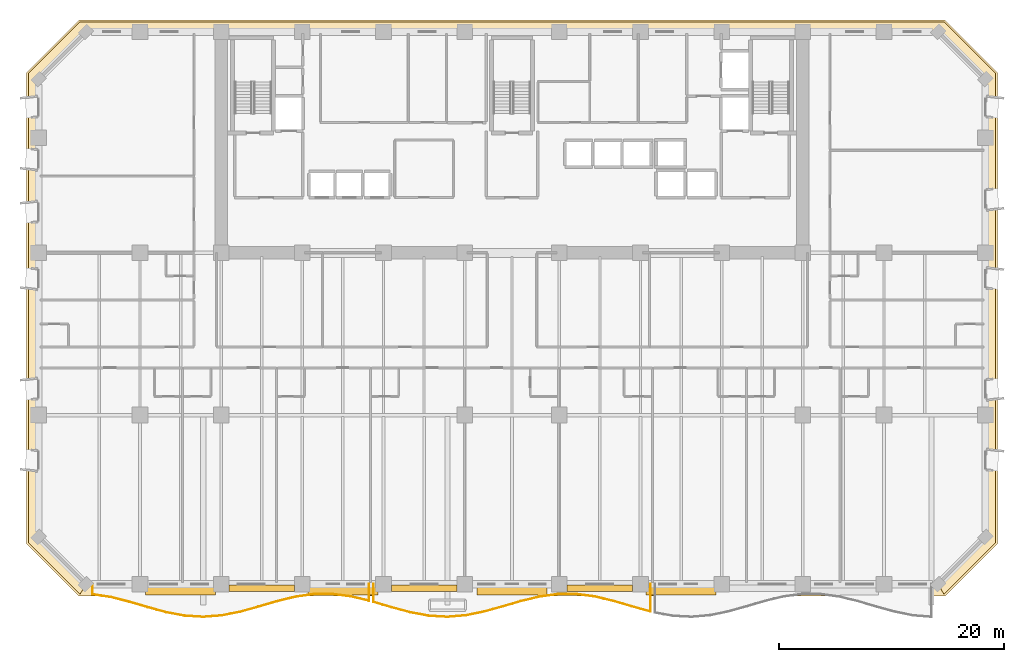
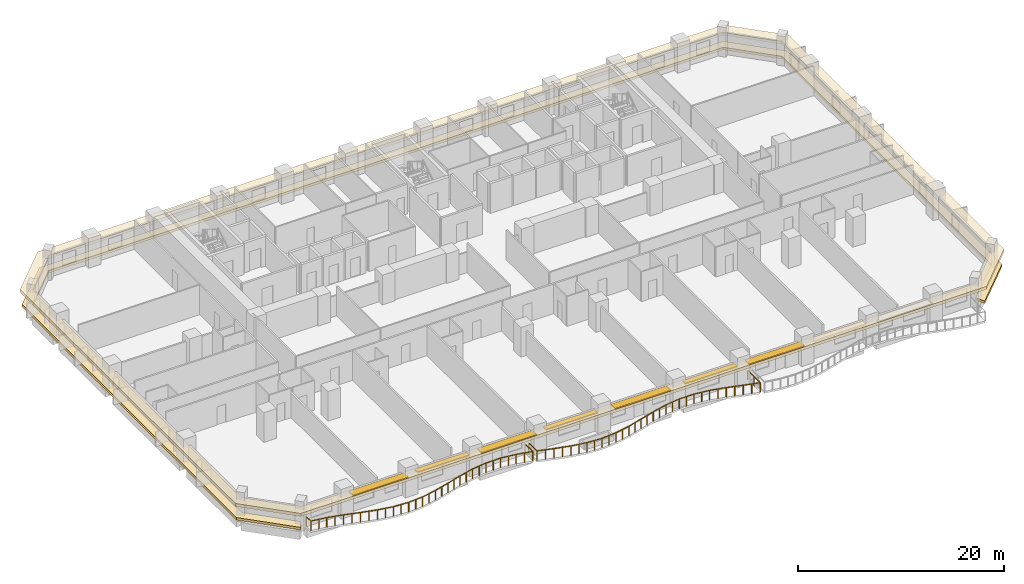
# One storey, part 12 of 15: 7 shading devices, 2 coverings, 2 railings.
"""IFC4 building model written with IfcOpenShell, lengths in metres."""

from ifc_helpers import new_model, si_unit, direction, frame, origin, origin_2d, place, context, subcontext, project, spatial, polyline, rectangle, outline, extrude, material, layer, layer_set, type_object, element, save


model = new_model("IFC4")

# Units and contexts
model_context = context("Model", 3, precision=1e-05, world=origin(), true_north=direction((0.0, 1.0)))
body_context = subcontext(model_context, "Body", "Model", "MODEL_VIEW")
ifc_project = project(units=[si_unit("LENGTHUNIT", "METRE"), si_unit("AREAUNIT", "SQUARE_METRE"), si_unit("VOLUMEUNIT", "CUBIC_METRE"), si_unit("PLANEANGLEUNIT", "RADIAN"), si_unit("MASSUNIT", "GRAM", prefix="KILO")], contexts=[model_context])

# Site, building, storey
site_placement = place(None, origin())
site = spatial("IfcSite", under=ifc_project, at=site_placement, CompositionType="ELEMENT")
building_placement = place(site_placement, origin())
building = spatial("IfcBuilding", under=site, at=building_placement, Name="Kaelvorn Grand Hotel", CompositionType="ELEMENT")
storey_placement = place(building_placement, frame((0.0, 0.0, 72.64990234375)))
storey = spatial("IfcBuildingStorey", under=building, at=storey_placement, Name="L16", CompositionType="ELEMENT", Elevation=72.64990234375)

# Coverings
ifc_material_1 = material(Name="Precast concrete C45/55", Category="concrete")
ifc_layer_1 = layer(ifc_material_1, 0.260009765625)
ifc_layer_set_1 = layer_set([ifc_layer_1], Name="Precast concrete C45/55")
covering_type_1 = type_object("IfcCoveringType", Name="COV-BAND-STREAMLINE-HEAD", PredefinedType="CLADDING", material=ifc_layer_set_1)
covering_1_placement = place(storey_placement, frame((0.0, 0.0, 2.18017578125)))
element("IfcCovering", 1, at=covering_1_placement, inside=storey, type_object=covering_type_1, Name="L16 Streamline Moderne Wraparound Horizontal Eyebrow Band", PredefinedType="CLADDING", context=body_context, shape_type="SweptSolid", body=[
    extrude(outline(polyline([(3.590087890625, -1.050048828125), (80.409912109375, -1.050048828125), (85.050048828125, 3.590087890625), (85.050048828125, 45.409912109375), (80.409912109375, 50.050048828125), (3.590087890625, 50.050048828125), (-1.050048828125, 45.409912109375), (-1.050048828125, 3.590087890625), (3.590087890625, -1.050048828125)]), holes=[polyline([(4.219970703125, 0.030029296875), (79.780029296875, 0.030029296875), (83.969970703125, 4.219970703125), (83.969970703125, 44.780029296875), (79.780029296875, 48.969970703125), (4.219970703125, 48.969970703125), (0.030029296875, 44.780029296875), (0.030029296875, 4.219970703125), (4.219970703125, 0.030029296875)])]), origin(), (0.0, 0.0, 1.0), 0.35986328125),
])
ifc_layer_2 = layer(ifc_material_1, 0.219970703125)
ifc_layer_set_2 = layer_set([ifc_layer_2], Name="Precast concrete C45/55")
covering_type_2 = type_object("IfcCoveringType", Name="COV-BAND-STREAMLINE-SILL", PredefinedType="CLADDING", material=ifc_layer_set_2)
covering_2_placement = place(storey_placement, frame((0.0, 0.0, 0.4501953125)))
element("IfcCovering", 2, at=covering_2_placement, inside=storey, type_object=covering_type_2, Name="L16 Streamline Moderne Wraparound Horizontal Sill Spandrel Band", PredefinedType="CLADDING", context=body_context, shape_type="SweptSolid", body=[
    extrude(outline(polyline([(80.3154296875, -0.8798828125), (84.8798828125, 3.6845703125), (84.8798828125, 45.3154296875), (80.3154296875, 49.8798828125), (3.6845703125, 49.8798828125), (-0.8798828125, 45.3154296875), (-0.8798828125, 3.6845703125), (3.6845703125, -0.8798828125), (4.217529296875, 0.030029296875), (0.030029296875, 4.217529296875), (0.030029296875, 44.782470703125), (4.217529296875, 48.969970703125), (79.782470703125, 48.969970703125), (83.969970703125, 44.782470703125), (83.969970703125, 4.217529296875), (79.782470703125, 0.030029296875), (80.3154296875, -0.8798828125)])), origin(), (0.0, 0.0, 1.0), 0.2998046875),
])

# Railings
ifc_material_2 = material(Name="Stainless Steel", Category="steel")
railing_type = type_object("IfcRailingType", Name="RL-BALC-1150", PredefinedType="BALUSTRADE", material=ifc_material_2)
railing_1_placement = place(storey_placement, frame((4.800048828125, 0.0, 0.0)))
element("IfcRailing", 3, at=railing_1_placement, inside=storey, type_object=railing_type, Name="L16 Scalloped Wave Balcony Balustrade GR1-1", PredefinedType="BALUSTRADE", context=body_context, shape_type="SweptSolid", body=[
    extrude(rectangle(XDim=0.048095703125, YDim=0.048095703125, at=origin_2d()), frame((0.0, 0.0, 1.1259765625), z_axis=(0.0, -1.0, 0.0), x_axis=(1.0, 0.0, 0.0)), (0.0, 0.0, 1.0), 0.900146484375),
    extrude(rectangle(XDim=0.048095703125, YDim=0.048095703125, at=origin_2d()), frame((0.0, -0.900146484375, 1.1259765625), z_axis=(0.988207407969, -0.153121255332, 0.0), x_axis=(0.153121255332, 0.988207407969, 0.0)), (0.0, 0.0, 1.0), 1.655029296875),
    extrude(rectangle(XDim=0.048095703125, YDim=0.048095703125, at=origin_2d()), frame((1.635498046875, -1.153564453125, 1.1259765625), z_axis=(0.969483457617, -0.245156736409, 0.0), x_axis=(0.245156736409, 0.969483457617, 0.0)), (0.0, 0.0, 1.0), 1.68701171875),
    extrude(rectangle(XDim=0.048095703125, YDim=0.048095703125, at=origin_2d()), frame((3.27099609375, -1.567138671875, 1.1259765625), z_axis=(0.959233169968, -0.282615862316, 0.0), x_axis=(0.282615862316, 0.959233169968, 0.0)), (0.0, 0.0, 1.0), 1.705322265625),
    extrude(rectangle(XDim=0.048095703125, YDim=0.048095703125, at=origin_2d()), frame((4.90673828125, -2.049072265625, 1.1259765625), z_axis=(0.965164997987, -0.26164198184, 0.0), x_axis=(0.26164198184, 0.965164997987, 0.0)), (0.0, 0.0, 1.0), 1.694580078125),
    extrude(rectangle(XDim=0.048095703125, YDim=0.048095703125, at=origin_2d()), frame((6.542236328125, -2.492431640625, 1.1259765625), z_axis=(0.982926958604, -0.183996179443, 0.0), x_axis=(0.183996179443, 0.982926958604, 0.0)), (0.0, 0.0, 1.0), 1.663818359375),
    extrude(rectangle(XDim=0.048095703125, YDim=0.048095703125, at=origin_2d()), frame((8.177734375, -2.798583984375, 1.1259765625), z_axis=(0.998095816111, -0.061682589621, 0.0), x_axis=(0.061682589621, 0.998095816111, 0.0)), (0.0, 0.0, 1.0), 1.638671875),
    extrude(rectangle(XDim=0.048095703125, YDim=0.048095703125, at=origin_2d()), frame((9.813232421875, -2.899658203125, 1.1259765625), z_axis=(0.997023764101, 0.077094836514, 0.0), x_axis=(-0.077094836514, 0.997023764101, 0.0)), (0.0, 0.0, 1.0), 1.640380859375),
    extrude(rectangle(XDim=0.048095703125, YDim=0.048095703125, at=origin_2d()), frame((11.44873046875, -2.773193359375, 1.1259765625), z_axis=(0.980693108013, 0.19555313318, 0.0), x_axis=(-0.19555313318, 0.980693108013, 0.0)), (0.0, 0.0, 1.0), 1.66796875),
    extrude(rectangle(XDim=0.048095703125, YDim=0.048095703125, at=origin_2d()), frame((13.08447265625, -2.447021484375, 1.1259765625), z_axis=(0.963696999215, 0.266998302813, 0.0), x_axis=(-0.266998302813, 0.963696999215, 0.0)), (0.0, 0.0, 1.0), 1.697021484375),
    extrude(rectangle(XDim=0.048095703125, YDim=0.048095703125, at=origin_2d()), frame((14.719970703125, -1.993896484375, 1.1259765625), z_axis=(0.959609209401, 0.28133639159, 0.0), x_axis=(-0.28133639159, 0.959609209401, 0.0)), (0.0, 0.0, 1.0), 1.704345703125),
    extrude(rectangle(XDim=0.048095703125, YDim=0.048095703125, at=origin_2d()), frame((16.35546875, -1.514404296875, 1.1259765625), z_axis=(0.971450272651, 0.237243267063, 0.0), x_axis=(-0.237243267063, 0.971450272651, 0.0)), (0.0, 0.0, 1.0), 1.68359375),
    extrude(rectangle(XDim=0.048095703125, YDim=0.048095703125, at=origin_2d()), frame((17.990966796875, -1.114990234375, 1.1259765625), z_axis=(0.990219604351, 0.139517508434, 0.0), x_axis=(-0.139517508434, 0.990219604351, 0.0)), (0.0, 0.0, 1.0), 1.65185546875),
    extrude(rectangle(XDim=0.048095703125, YDim=0.048095703125, at=origin_2d()), frame((19.626708984375, -0.884521484375, 1.1259765625), z_axis=(0.999978430437, 0.006568002827, 0.0), x_axis=(-0.006568002827, 0.999978430437, 0.0)), (0.0, 0.0, 1.0), 1.635498046875),
    extrude(rectangle(XDim=0.048095703125, YDim=0.048095703125, at=origin_2d()), frame((21.26220703125, -0.873779296875, 1.1259765625), z_axis=(0.991728699093, -0.128351811034, 0.0), x_axis=(0.128351811034, 0.991728699093, 0.0)), (0.0, 0.0, 1.0), 1.649169921875),
    extrude(rectangle(XDim=0.048095703125, YDim=0.048095703125, at=origin_2d()), frame((22.897705078125, -1.08544921875, 1.1259765625), z_axis=(0.973100001254, -0.230383132108, 0.0), x_axis=(0.230383132108, 0.973100001254, 0.0)), (0.0, 0.0, 1.0), 1.6806640625),
    extrude(rectangle(XDim=0.048095703125, YDim=0.048095703125, at=origin_2d()), frame((24.533203125, -1.47265625, 1.1259765625), z_axis=(0.0, 1.0, 0.0), x_axis=(-1.0, 0.0, 0.0)), (0.0, 0.0, 1.0), 1.47265625),
    extrude(rectangle(XDim=0.0419921875, YDim=0.0419921875, at=origin_2d()), origin(), (0.0, 0.0, 1.0), 1.101806640625),
    extrude(rectangle(XDim=0.0419921875, YDim=0.0419921875, at=origin_2d()), frame((0.0, -0.900146484375, 0.0)), (0.0, 0.0, 1.0), 1.101806640625),
    extrude(rectangle(XDim=0.0419921875, YDim=0.0419921875, at=origin_2d()), frame((0.81787109375, -1.02685546875, 0.0)), (0.0, 0.0, 1.0), 1.101806640625),
    extrude(rectangle(XDim=0.0419921875, YDim=0.0419921875, at=origin_2d()), frame((1.635498046875, -1.153564453125, 0.0)), (0.0, 0.0, 1.0), 1.101806640625),
    extrude(rectangle(XDim=0.0419921875, YDim=0.0419921875, at=origin_2d()), frame((2.453125, -1.3603515625, 0.0)), (0.0, 0.0, 1.0), 1.101806640625),
    extrude(rectangle(XDim=0.0419921875, YDim=0.0419921875, at=origin_2d()), frame((3.27099609375, -1.567138671875, 0.0)), (0.0, 0.0, 1.0), 1.101806640625),
    extrude(rectangle(XDim=0.0419921875, YDim=0.0419921875, at=origin_2d()), frame((4.0888671875, -1.80810546875, 0.0)), (0.0, 0.0, 1.0), 1.101806640625),
    extrude(rectangle(XDim=0.0419921875, YDim=0.0419921875, at=origin_2d()), frame((4.90673828125, -2.049072265625, 0.0)), (0.0, 0.0, 1.0), 1.101806640625),
    extrude(rectangle(XDim=0.0419921875, YDim=0.0419921875, at=origin_2d()), frame((5.724609375, -2.270751953125, 0.0)), (0.0, 0.0, 1.0), 1.101806640625),
    extrude(rectangle(XDim=0.0419921875, YDim=0.0419921875, at=origin_2d()), frame((6.542236328125, -2.492431640625, 0.0)), (0.0, 0.0, 1.0), 1.101806640625),
    extrude(rectangle(XDim=0.0419921875, YDim=0.0419921875, at=origin_2d()), frame((7.35986328125, -2.6455078125, 0.0)), (0.0, 0.0, 1.0), 1.101806640625),
    extrude(rectangle(XDim=0.0419921875, YDim=0.0419921875, at=origin_2d()), frame((8.177734375, -2.798583984375, 0.0)), (0.0, 0.0, 1.0), 1.101806640625),
    extrude(rectangle(XDim=0.0419921875, YDim=0.0419921875, at=origin_2d()), frame((8.99560546875, -2.84912109375, 0.0)), (0.0, 0.0, 1.0), 1.101806640625),
    extrude(rectangle(XDim=0.0419921875, YDim=0.0419921875, at=origin_2d()), frame((9.813232421875, -2.899658203125, 0.0)), (0.0, 0.0, 1.0), 1.101806640625),
    extrude(rectangle(XDim=0.0419921875, YDim=0.0419921875, at=origin_2d()), frame((10.630859375, -2.83642578125, 0.0)), (0.0, 0.0, 1.0), 1.101806640625),
    extrude(rectangle(XDim=0.0419921875, YDim=0.0419921875, at=origin_2d()), frame((11.44873046875, -2.773193359375, 0.0)), (0.0, 0.0, 1.0), 1.101806640625),
    extrude(rectangle(XDim=0.0419921875, YDim=0.0419921875, at=origin_2d()), frame((12.2666015625, -2.610107421875, 0.0)), (0.0, 0.0, 1.0), 1.101806640625),
    extrude(rectangle(XDim=0.0419921875, YDim=0.0419921875, at=origin_2d()), frame((13.08447265625, -2.447021484375, 0.0)), (0.0, 0.0, 1.0), 1.101806640625),
    extrude(rectangle(XDim=0.0419921875, YDim=0.0419921875, at=origin_2d()), frame((13.90234375, -2.220458984375, 0.0)), (0.0, 0.0, 1.0), 1.101806640625),
    extrude(rectangle(XDim=0.0419921875, YDim=0.0419921875, at=origin_2d()), frame((14.719970703125, -1.993896484375, 0.0)), (0.0, 0.0, 1.0), 1.101806640625),
    extrude(rectangle(XDim=0.0419921875, YDim=0.0419921875, at=origin_2d()), frame((15.53759765625, -1.754150390625, 0.0)), (0.0, 0.0, 1.0), 1.101806640625),
    extrude(rectangle(XDim=0.0419921875, YDim=0.0419921875, at=origin_2d()), frame((16.35546875, -1.514404296875, 0.0)), (0.0, 0.0, 1.0), 1.101806640625),
    extrude(rectangle(XDim=0.0419921875, YDim=0.0419921875, at=origin_2d()), frame((17.17333984375, -1.314697265625, 0.0)), (0.0, 0.0, 1.0), 1.101806640625),
    extrude(rectangle(XDim=0.0419921875, YDim=0.0419921875, at=origin_2d()), frame((17.990966796875, -1.114990234375, 0.0)), (0.0, 0.0, 1.0), 1.101806640625),
    extrude(rectangle(XDim=0.0419921875, YDim=0.0419921875, at=origin_2d()), frame((18.808837890625, -0.999755859375, 0.0)), (0.0, 0.0, 1.0), 1.101806640625),
    extrude(rectangle(XDim=0.0419921875, YDim=0.0419921875, at=origin_2d()), frame((19.626708984375, -0.884521484375, 0.0)), (0.0, 0.0, 1.0), 1.101806640625),
    extrude(rectangle(XDim=0.0419921875, YDim=0.0419921875, at=origin_2d()), frame((20.4443359375, -0.879150390625, 0.0)), (0.0, 0.0, 1.0), 1.101806640625),
    extrude(rectangle(XDim=0.0419921875, YDim=0.0419921875, at=origin_2d()), frame((21.26220703125, -0.873779296875, 0.0)), (0.0, 0.0, 1.0), 1.101806640625),
    extrude(rectangle(XDim=0.0419921875, YDim=0.0419921875, at=origin_2d()), frame((22.080078125, -0.9794921875, 0.0)), (0.0, 0.0, 1.0), 1.101806640625),
    extrude(rectangle(XDim=0.0419921875, YDim=0.0419921875, at=origin_2d()), frame((22.897705078125, -1.08544921875, 0.0)), (0.0, 0.0, 1.0), 1.101806640625),
    extrude(rectangle(XDim=0.0419921875, YDim=0.0419921875, at=origin_2d()), frame((23.71533203125, -1.279052734375, 0.0)), (0.0, 0.0, 1.0), 1.101806640625),
    extrude(rectangle(XDim=0.0419921875, YDim=0.0419921875, at=origin_2d()), frame((24.533203125, -1.47265625, 0.0)), (0.0, 0.0, 1.0), 1.101806640625),
    extrude(rectangle(XDim=0.0419921875, YDim=0.0419921875, at=origin_2d()), frame((24.533203125, 0.0, 0.0)), (0.0, 0.0, 1.0), 1.101806640625),
])
railing_2_placement = place(storey_placement, frame((29.7333984375, 0.0, 0.0)))
element("IfcRailing", 4, at=railing_2_placement, inside=storey, type_object=railing_type, Name="L16 Scalloped Wave Balcony Balustrade GR1-2", PredefinedType="BALUSTRADE", context=body_context, shape_type="SweptSolid", body=[
    extrude(rectangle(XDim=0.048095703125, YDim=0.048095703125, at=origin_2d()), frame((0.0, 0.0, 1.1259765625), z_axis=(0.0, -1.0, 0.0), x_axis=(1.0, 0.0, 0.0)), (0.0, 0.0, 1.0), 1.584716796875),
    extrude(rectangle(XDim=0.048095703125, YDim=0.048095703125, at=origin_2d()), frame((0.0, -1.584716796875, 1.1259765625), z_axis=(0.959105197492, -0.283049854522, 0.0), x_axis=(0.283049854522, 0.959105197492, 0.0)), (0.0, 0.0, 1.0), 1.705322265625),
    extrude(rectangle(XDim=0.048095703125, YDim=0.048095703125, at=origin_2d()), frame((1.635498046875, -2.0673828125, 1.1259765625), z_axis=(0.96570895118, -0.259627081814, 0.0), x_axis=(0.259627081814, 0.96570895118, 0.0)), (0.0, 0.0, 1.0), 1.693603515625),
    extrude(rectangle(XDim=0.048095703125, YDim=0.048095703125, at=origin_2d()), frame((3.27099609375, -2.507080078125, 1.1259765625), z_axis=(0.983662506195, -0.180022426122, 0.0), x_axis=(0.180022426122, 0.983662506195, 0.0)), (0.0, 0.0, 1.0), 1.66259765625),
    extrude(rectangle(XDim=0.048095703125, YDim=0.048095703125, at=origin_2d()), frame((4.906494140625, -2.806396484375, 1.1259765625), z_axis=(0.998403907384, -0.056476877746, 0.0), x_axis=(0.056476877746, 0.998403907384, 0.0)), (0.0, 0.0, 1.0), 1.638427734375),
    extrude(rectangle(XDim=0.048095703125, YDim=0.048095703125, at=origin_2d()), frame((6.542236328125, -2.89892578125, 1.1259765625), z_axis=(0.996610094372, 0.082269798804, 0.0), x_axis=(-0.082269798804, 0.996610094372, 0.0)), (0.0, 0.0, 1.0), 1.64111328125),
    extrude(rectangle(XDim=0.048095703125, YDim=0.048095703125, at=origin_2d()), frame((8.177734375, -2.763916015625, 1.1259765625), z_axis=(0.979979738677, 0.199097242027, 0.0), x_axis=(-0.199097242027, 0.979979738677, 0.0)), (0.0, 0.0, 1.0), 1.6689453125),
    extrude(rectangle(XDim=0.048095703125, YDim=0.048095703125, at=origin_2d()), frame((9.813232421875, -2.431640625, 1.1259765625), z_axis=(0.963251690304, 0.268600411627, 0.0), x_axis=(-0.268600411627, 0.963251690304, 0.0)), (0.0, 0.0, 1.0), 1.697998046875),
    extrude(rectangle(XDim=0.048095703125, YDim=0.048095703125, at=origin_2d()), frame((11.44873046875, -1.9755859375, 1.1259765625), z_axis=(0.95977507509, 0.280770021967, 0.0), x_axis=(-0.280770021967, 0.95977507509, 0.0)), (0.0, 0.0, 1.0), 1.704345703125),
    extrude(rectangle(XDim=0.048095703125, YDim=0.048095703125, at=origin_2d()), frame((13.08447265625, -1.4970703125, 1.1259765625), z_axis=(0.972148369978, 0.234366266236, 0.0), x_axis=(-0.234366266236, 0.972148369978, 0.0)), (0.0, 0.0, 1.0), 1.682373046875),
    extrude(rectangle(XDim=0.048095703125, YDim=0.048095703125, at=origin_2d()), frame((14.719970703125, -1.102783203125, 1.1259765625), z_axis=(0.990840065963, 0.135040600123, 0.0), x_axis=(-0.135040600123, 0.990840065963, 0.0)), (0.0, 0.0, 1.0), 1.650634765625),
    extrude(rectangle(XDim=0.048095703125, YDim=0.048095703125, at=origin_2d()), frame((16.35546875, -0.8798828125, 1.1259765625), z_axis=(0.999999286934, 0.001194207239, 0.0), x_axis=(-0.001194207239, 0.999999286934, 0.0)), (0.0, 0.0, 1.0), 1.635498046875),
    extrude(rectangle(XDim=0.048095703125, YDim=0.048095703125, at=origin_2d()), frame((17.990966796875, -0.8779296875, 1.1259765625), z_axis=(0.991117742947, -0.132987291181, 0.0), x_axis=(0.132987291181, 0.991117742947, 0.0)), (0.0, 0.0, 1.0), 1.650390625),
    extrude(rectangle(XDim=0.048095703125, YDim=0.048095703125, at=origin_2d()), frame((19.626708984375, -1.097412109375, 1.1259765625), z_axis=(0.972412331171, -0.233268639527, 0.0), x_axis=(0.233268639527, 0.972412331171, 0.0)), (0.0, 0.0, 1.0), 1.681884765625),
    extrude(rectangle(XDim=0.048095703125, YDim=0.048095703125, at=origin_2d()), frame((21.26220703125, -1.48974609375, 1.1259765625), z_axis=(0.959879550233, -0.280412640664, 0.0), x_axis=(0.280412640664, 0.959879550233, 0.0)), (0.0, 0.0, 1.0), 1.703857421875),
    extrude(rectangle(XDim=0.048095703125, YDim=0.048095703125, at=origin_2d()), frame((22.897705078125, -1.967529296875, 1.1259765625), z_axis=(0.963065481096, -0.269267300506, 0.0), x_axis=(0.269267300506, 0.963065481096, 0.0)), (0.0, 0.0, 1.0), 1.6982421875),
    extrude(rectangle(XDim=0.048095703125, YDim=0.048095703125, at=origin_2d()), frame((24.533203125, -2.4248046875, 1.1259765625), z_axis=(0.0, 1.0, 0.0), x_axis=(-1.0, 0.0, 0.0)), (0.0, 0.0, 1.0), 2.4248046875),
    extrude(rectangle(XDim=0.0419921875, YDim=0.0419921875, at=origin_2d()), origin(), (0.0, 0.0, 1.0), 1.101806640625),
    extrude(rectangle(XDim=0.0419921875, YDim=0.0419921875, at=origin_2d()), frame((0.0, -1.584716796875, 0.0)), (0.0, 0.0, 1.0), 1.101806640625),
    extrude(rectangle(XDim=0.0419921875, YDim=0.0419921875, at=origin_2d()), frame((0.81787109375, -1.826171875, 0.0)), (0.0, 0.0, 1.0), 1.101806640625),
    extrude(rectangle(XDim=0.0419921875, YDim=0.0419921875, at=origin_2d()), frame((1.635498046875, -2.0673828125, 0.0)), (0.0, 0.0, 1.0), 1.101806640625),
    extrude(rectangle(XDim=0.0419921875, YDim=0.0419921875, at=origin_2d()), frame((2.453125, -2.287109375, 0.0)), (0.0, 0.0, 1.0), 1.101806640625),
    extrude(rectangle(XDim=0.0419921875, YDim=0.0419921875, at=origin_2d()), frame((3.27099609375, -2.507080078125, 0.0)), (0.0, 0.0, 1.0), 1.101806640625),
    extrude(rectangle(XDim=0.0419921875, YDim=0.0419921875, at=origin_2d()), frame((4.0888671875, -2.65673828125, 0.0)), (0.0, 0.0, 1.0), 1.101806640625),
    extrude(rectangle(XDim=0.0419921875, YDim=0.0419921875, at=origin_2d()), frame((4.906494140625, -2.806396484375, 0.0)), (0.0, 0.0, 1.0), 1.101806640625),
    extrude(rectangle(XDim=0.0419921875, YDim=0.0419921875, at=origin_2d()), frame((5.724365234375, -2.8525390625, 0.0)), (0.0, 0.0, 1.0), 1.101806640625),
    extrude(rectangle(XDim=0.0419921875, YDim=0.0419921875, at=origin_2d()), frame((6.542236328125, -2.89892578125, 0.0)), (0.0, 0.0, 1.0), 1.101806640625),
    extrude(rectangle(XDim=0.0419921875, YDim=0.0419921875, at=origin_2d()), frame((7.35986328125, -2.83154296875, 0.0)), (0.0, 0.0, 1.0), 1.101806640625),
    extrude(rectangle(XDim=0.0419921875, YDim=0.0419921875, at=origin_2d()), frame((8.177734375, -2.763916015625, 0.0)), (0.0, 0.0, 1.0), 1.101806640625),
    extrude(rectangle(XDim=0.0419921875, YDim=0.0419921875, at=origin_2d()), frame((8.99560546875, -2.59765625, 0.0)), (0.0, 0.0, 1.0), 1.101806640625),
    extrude(rectangle(XDim=0.0419921875, YDim=0.0419921875, at=origin_2d()), frame((9.813232421875, -2.431640625, 0.0)), (0.0, 0.0, 1.0), 1.101806640625),
    extrude(rectangle(XDim=0.0419921875, YDim=0.0419921875, at=origin_2d()), frame((10.630859375, -2.20361328125, 0.0)), (0.0, 0.0, 1.0), 1.101806640625),
    extrude(rectangle(XDim=0.0419921875, YDim=0.0419921875, at=origin_2d()), frame((11.44873046875, -1.9755859375, 0.0)), (0.0, 0.0, 1.0), 1.101806640625),
    extrude(rectangle(XDim=0.0419921875, YDim=0.0419921875, at=origin_2d()), frame((12.2666015625, -1.736328125, 0.0)), (0.0, 0.0, 1.0), 1.101806640625),
    extrude(rectangle(XDim=0.0419921875, YDim=0.0419921875, at=origin_2d()), frame((13.08447265625, -1.4970703125, 0.0)), (0.0, 0.0, 1.0), 1.101806640625),
    extrude(rectangle(XDim=0.0419921875, YDim=0.0419921875, at=origin_2d()), frame((13.90234375, -1.2998046875, 0.0)), (0.0, 0.0, 1.0), 1.101806640625),
    extrude(rectangle(XDim=0.0419921875, YDim=0.0419921875, at=origin_2d()), frame((14.719970703125, -1.102783203125, 0.0)), (0.0, 0.0, 1.0), 1.101806640625),
    extrude(rectangle(XDim=0.0419921875, YDim=0.0419921875, at=origin_2d()), frame((15.53759765625, -0.9912109375, 0.0)), (0.0, 0.0, 1.0), 1.101806640625),
    extrude(rectangle(XDim=0.0419921875, YDim=0.0419921875, at=origin_2d()), frame((16.35546875, -0.8798828125, 0.0)), (0.0, 0.0, 1.0), 1.101806640625),
    extrude(rectangle(XDim=0.0419921875, YDim=0.0419921875, at=origin_2d()), frame((17.17333984375, -0.87890625, 0.0)), (0.0, 0.0, 1.0), 1.101806640625),
    extrude(rectangle(XDim=0.0419921875, YDim=0.0419921875, at=origin_2d()), frame((17.990966796875, -0.8779296875, 0.0)), (0.0, 0.0, 1.0), 1.101806640625),
    extrude(rectangle(XDim=0.0419921875, YDim=0.0419921875, at=origin_2d()), frame((18.808837890625, -0.98779296875, 0.0)), (0.0, 0.0, 1.0), 1.101806640625),
    extrude(rectangle(XDim=0.0419921875, YDim=0.0419921875, at=origin_2d()), frame((19.626708984375, -1.097412109375, 0.0)), (0.0, 0.0, 1.0), 1.101806640625),
    extrude(rectangle(XDim=0.0419921875, YDim=0.0419921875, at=origin_2d()), frame((20.4443359375, -1.29345703125, 0.0)), (0.0, 0.0, 1.0), 1.101806640625),
    extrude(rectangle(XDim=0.0419921875, YDim=0.0419921875, at=origin_2d()), frame((21.26220703125, -1.48974609375, 0.0)), (0.0, 0.0, 1.0), 1.101806640625),
    extrude(rectangle(XDim=0.0419921875, YDim=0.0419921875, at=origin_2d()), frame((22.080078125, -1.728515625, 0.0)), (0.0, 0.0, 1.0), 1.101806640625),
    extrude(rectangle(XDim=0.0419921875, YDim=0.0419921875, at=origin_2d()), frame((22.897705078125, -1.967529296875, 0.0)), (0.0, 0.0, 1.0), 1.101806640625),
    extrude(rectangle(XDim=0.0419921875, YDim=0.0419921875, at=origin_2d()), frame((23.71533203125, -2.1962890625, 0.0)), (0.0, 0.0, 1.0), 1.101806640625),
    extrude(rectangle(XDim=0.0419921875, YDim=0.0419921875, at=origin_2d()), frame((24.533203125, -2.4248046875, 0.0)), (0.0, 0.0, 1.0), 1.101806640625),
    extrude(rectangle(XDim=0.0419921875, YDim=0.0419921875, at=origin_2d()), frame((24.533203125, -1.21240234375, 0.0)), (0.0, 0.0, 1.0), 1.101806640625),
    extrude(rectangle(XDim=0.0419921875, YDim=0.0419921875, at=origin_2d()), frame((24.533203125, 0.0, 0.0)), (0.0, 0.0, 1.0), 1.101806640625),
])

# Shading devices
ifc_layer_3 = layer(ifc_material_1, 0.1201171875)
ifc_layer_set_3 = layer_set([ifc_layer_3], Name="Precast concrete C45/55")
shading_device_type_1 = type_object("IfcShadingDeviceType", Name="SHD-SUNSHADE-550", PredefinedType="USERDEFINED", material=ifc_layer_set_3)
for number, where, z_axis, x_axis, name in (
    (5, (19.800048828125, -0.364990234375, 2.419921875), (0.0, 0.0, 1.0), (1.0, 0.0, 0.0), "L16 Horizontal Concrete Sunshade Band SS-03"),
    (6, (34.199951171875, -0.364990234375, 2.419921875), (0.0, 0.0, 1.0), (1.0, 0.0, 0.0), "L16 Horizontal Concrete Sunshade Band SS-05"),
    (7, (49.800048828125, -0.364990234375, 2.419921875), (0.0, 0.0, 1.0), (1.0, 0.0, 0.0), "L16 Horizontal Concrete Sunshade Band SS-07"),
):
    element("IfcShadingDevice", number, at=place(storey_placement, frame(where, z_axis=z_axis, x_axis=x_axis)), inside=storey, type_object=shading_device_type_1, Name=name, ObjectType="SUNSHADE", PredefinedType="USERDEFINED", context=body_context, shape_type="SweptSolid", body=[
        extrude(rectangle(XDim=5.800048828125, YDim=0.550048828125, at=origin_2d()), origin(), (0.0, 0.0, 1.0), 0.1201171875),
    ])
ifc_layer_4 = layer(ifc_material_1, 0.139892578125)
ifc_layer_set_4 = layer_set([ifc_layer_4], Name="Precast concrete C45/55")
shading_device_type_2 = type_object("IfcShadingDeviceType", Name="SHD-SUNSHADE-850", PredefinedType="USERDEFINED", material=ifc_layer_set_4)
for number, where, z_axis, x_axis, name in (
    (8, (12.60009765625, -0.514892578125, 2.41015625), (0.0, 0.0, 1.0), (1.0, 0.0, 0.0), "L16 Horizontal Concrete Sunshade Band SS-02"),
    (9, (27.0, -0.514892578125, 2.41015625), (0.0, 0.0, 1.0), (1.0, 0.0, 0.0), "L16 Horizontal Concrete Sunshade Band SS-04"),
    (10, (42.0, -0.514892578125, 2.41015625), (0.0, 0.0, 1.0), (1.0, 0.0, 0.0), "L16 Horizontal Concrete Sunshade Band SS-06"),
    (11, (57.0, -0.514892578125, 2.41015625), (0.0, 0.0, 1.0), (1.0, 0.0, 0.0), "L16 Horizontal Concrete Sunshade Band SS-08"),
):
    element("IfcShadingDevice", number, at=place(storey_placement, frame(where, z_axis=z_axis, x_axis=x_axis)), inside=storey, type_object=shading_device_type_2, Name=name, ObjectType="SUNSHADE", PredefinedType="USERDEFINED", context=body_context, shape_type="SweptSolid", body=[
        extrude(rectangle(XDim=6.199951171875, YDim=0.85009765625, at=origin_2d()), origin(), (0.0, 0.0, 1.0), 0.139892578125),
    ])

save(model, "model.ifc")
